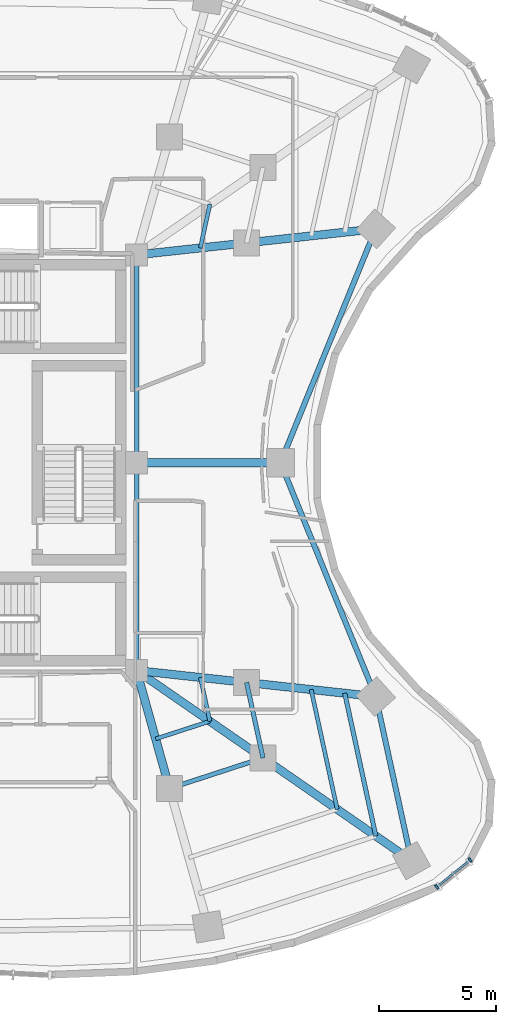
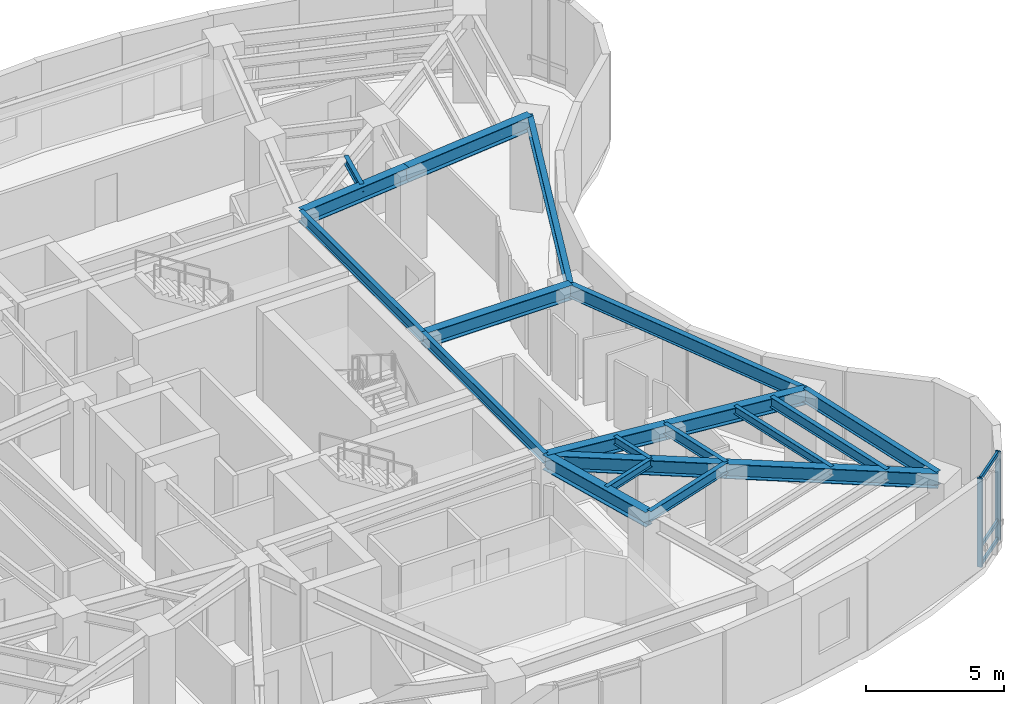
# One storey, part 4 of 15: 20 beams, 5 members, 1 element without a shape of its own.
"""IFC4 building model written with IfcOpenShell, lengths in metres."""

from ifc_helpers import new_model, si_unit, direction, frame, origin, origin_2d, place, context, subcontext, project, spatial, rectangle, i_section, extrude, material, layer, layer_set, material_profile, profile_set, type_object, element, aggregate, save


model = new_model("IFC4")

# Units and contexts
model_context = context("Model", 3, precision=1e-05, world=origin(), true_north=direction((0.0, 1.0)))
body_context = subcontext(model_context, "Body", "Model", "MODEL_VIEW")
ifc_project = project(units=[si_unit("LENGTHUNIT", "METRE"), si_unit("AREAUNIT", "SQUARE_METRE"), si_unit("VOLUMEUNIT", "CUBIC_METRE"), si_unit("PLANEANGLEUNIT", "RADIAN"), si_unit("MASSUNIT", "GRAM", prefix="KILO")], contexts=[model_context])

# Site, building, storey
site_placement = place(None, origin())
site = spatial("IfcSite", under=ifc_project, at=site_placement, CompositionType="ELEMENT")
building_placement = place(site_placement, origin())
building = spatial("IfcBuilding", under=site, at=building_placement, Name="Korentha Bioscience Tower", CompositionType="ELEMENT")
storey_placement = place(building_placement, frame((0.0, 0.0, 115.199951171875)))
storey = spatial("IfcBuildingStorey", under=building, at=storey_placement, Name="L26", CompositionType="ELEMENT", Elevation=115.199951171875)

# Beams
ifc_material_1 = material(Name="Steel S355", Category="steel")
ifc_material_profile_1 = material_profile(ifc_material_1, i_section(OverallWidth=0.18994140625, OverallDepth=0.45703125, WebThickness=0.009033203125, FlangeThickness=0.014404296875, at=origin_2d()), Name="Steel S355")
ifc_profile_set_1 = profile_set([ifc_material_profile_1], Name="Steel S355 (MB-460)")
beam_type_1 = type_object("IfcBeamType", Name="Mid-Ring Tie Girder W460x74", PredefinedType="BEAM", material=ifc_profile_set_1)
beam_1_placement = place(storey_placement, frame((38.954833984375, 13.129150390625, 3.671630859375), z_axis=(0.95087582253, 0.309572560361, 0.0), x_axis=(-0.309572560361, 0.95087582253, 0.0)))
element("IfcBeam", 1, at=beam_1_placement, inside=storey, type_object=beam_type_1, Name="L26 Mid-Ring Tie Girder 12", PredefinedType="BEAM", context=body_context, shape_type="SweptSolid", body=[
    extrude(i_section(OverallWidth=0.18994140625, OverallDepth=0.45703125, WebThickness=0.009033203125, FlangeThickness=0.014404296875, at=origin_2d()), origin(), (0.0, 0.0, 1.0), 4.186767578125),
])
beam_2_placement = place(storey_placement, frame((42.93603515625, 14.42529296875, 3.671630859375), z_axis=(-0.212928773299, 0.977067724112, 0.0), x_axis=(-0.977067724112, -0.212928773299, 0.0)))
element("IfcBeam", 2, at=beam_2_placement, inside=storey, type_object=beam_type_1, Name="L26 Mid-Ring Tie Girder 13", PredefinedType="BEAM", context=body_context, shape_type="SweptSolid", body=[
    extrude(i_section(OverallWidth=0.18994140625, OverallDepth=0.45703125, WebThickness=0.009033203125, FlangeThickness=0.014404296875, at=origin_2d()), origin(), (0.0, 0.0, 1.0), 3.28955078125),
])
for number, where, z_axis, x_axis, name in (
    (3, (37.550048828125, 18.14990234375, 3.671630859375), (0.0, 1.0, 0.0), (-1.0, 0.0, 0.0), "L26 Core Ring Tie Girder 06"),
    (4, (37.550048828125, 27.0, 3.671630859375), (0.0, 1.0, 0.0), (-1.0, 0.0, 0.0), "L26 Core Ring Tie Girder 07"),
):
    element("IfcBeam", number, at=place(storey_placement, frame(where, z_axis=z_axis, x_axis=x_axis)), inside=storey, type_object=beam_type_1, Name=name, PredefinedType="BEAM", context=body_context, shape_type="SweptSolid", body=[
        extrude(i_section(OverallWidth=0.18994140625, OverallDepth=0.45703125, WebThickness=0.009033203125, FlangeThickness=0.014404296875, at=origin_2d()), origin(), (0.0, 0.0, 1.0), 8.85009765625),
    ])

# Curtain wall, members
ifc_material_2 = material(Name="Thermally Broken Aluminium Frame", Category="aluminium")
ifc_layer = layer(ifc_material_2, 0.219970703125, Name="Thermally Broken Aluminium Frame")
ifc_layer_set = layer_set([ifc_layer], Name="Thermally Broken Aluminium Frame (CW-T2)")
curtain_wall_type = type_object("IfcCurtainWallType", Name="Solar-Screened Lab Unitised Curtain Wall CW-T2", PredefinedType="USERDEFINED", material=ifc_layer_set)
curtain_wall_placement = place(storey_placement, origin())
curtain_wall = element("IfcCurtainWall", 5, at=curtain_wall_placement, inside=storey, type_object=curtain_wall_type, Name="L26 Curtain Wall 37", ObjectType="UNITISED", PredefinedType="USERDEFINED")
ifc_material_3 = material(Name="Anodised Aluminium 6063-T6", Category="aluminium")
ifc_material_profile_2 = material_profile(ifc_material_3, rectangle(XDim=0.090087890625, YDim=0.199951171875, at=origin_2d()), Name="Anodised Aluminium 6063-T6")
ifc_profile_set_2 = profile_set([ifc_material_profile_2], Name="Anodised Aluminium 6063-T6 (CW-MUL)")
member_type_1 = type_object("IfcMemberType", Name="Mullion RECT 90x200", PredefinedType="MULLION", material=ifc_profile_set_2)
member_1_placement = place(storey_placement, frame((50.337158203125, 8.931884765625, 0.0), z_axis=(0.0, 0.0, 1.0), x_axis=(0.777315301098, 0.629111216463, 0.0)))
member_1 = element("IfcMember", 6, at=member_1_placement, type_object=member_type_1, Name="CW-L26-37 Mullion 1", PredefinedType="MULLION", context=body_context, shape_type="SweptSolid", body=[
    extrude(rectangle(XDim=0.090087890625, YDim=0.199951171875, at=origin_2d()), origin(), (0.0, 0.0, 1.0), 3.900146484375),
])
member_2_placement = place(storey_placement, frame((51.7578125, 10.08154296875, 0.0), z_axis=(0.0, 0.0, 1.0), x_axis=(0.777315301098, 0.629111216463, 0.0)))
member_2 = element("IfcMember", 7, at=member_2_placement, type_object=member_type_1, Name="CW-L26-37 Mullion 2", PredefinedType="MULLION", context=body_context, shape_type="SweptSolid", body=[
    extrude(rectangle(XDim=0.090087890625, YDim=0.199951171875, at=origin_2d()), origin(), (0.0, 0.0, 1.0), 3.900146484375),
])

# Beams
ifc_material_profile_3 = material_profile(ifc_material_1, i_section(OverallWidth=0.22802734375, OverallDepth=0.60791015625, WebThickness=0.01123046875, FlangeThickness=0.017333984375, at=origin_2d()), Name="Steel S355")
ifc_profile_set_3 = profile_set([ifc_material_profile_3], Name="Steel S355 (SB-610)")
beam_type_2 = type_object("IfcBeamType", Name="Perimeter Ring Spandrel Girder W610x113", PredefinedType="SPANDREL", material=ifc_profile_set_3)
beam_3_placement = place(storey_placement, frame((49.2587890625, 10.052978515625, 3.595947265625), z_axis=(-0.212927102256, 0.977068088275, 0.0), x_axis=(-0.977068088275, -0.212927102256, 0.0)))
element("IfcBeam", 8, at=beam_3_placement, inside=storey, type_object=beam_type_2, Name="L26 Perimeter Spandrel Girder 13", PredefinedType="SPANDREL", context=body_context, shape_type="SweptSolid", body=[
    extrude(i_section(OverallWidth=0.22802734375, OverallDepth=0.60791015625, WebThickness=0.01123046875, FlangeThickness=0.017333984375, at=origin_2d()), origin(), (0.0, 0.0, 1.0), 7.1513671875),
])
for number, where, z_axis, x_axis, name in (
    (9, (47.736083984375, 17.040283203125, 3.595947265625), (-0.37709856037, 0.926173134876, 0.0), (-0.926173134876, -0.37709856037, 0.0), "L26 Perimeter Spandrel Girder 14"),
    (10, (43.680908203125, 27.0, 3.595947265625), (0.37709856037, 0.926173134876, 0.0), (-0.926173134876, 0.37709856037, 0.0), "L26 Perimeter Spandrel Girder 15"),
):
    element("IfcBeam", number, at=place(storey_placement, frame(where, z_axis=z_axis, x_axis=x_axis)), inside=storey, type_object=beam_type_2, Name=name, PredefinedType="SPANDREL", context=body_context, shape_type="SweptSolid", body=[
        extrude(i_section(OverallWidth=0.22802734375, OverallDepth=0.60791015625, WebThickness=0.01123046875, FlangeThickness=0.017333984375, at=origin_2d()), origin(), (0.0, 0.0, 1.0), 10.753662109375),
    ])
ifc_material_profile_4 = material_profile(ifc_material_1, i_section(OverallWidth=0.18994140625, OverallDepth=0.45703125, WebThickness=0.009033203125, FlangeThickness=0.014404296875, at=origin_2d()), Name="Steel S355")
ifc_profile_set_4 = profile_set([ifc_material_profile_4], Name="Steel S355 (RB-460)")
beam_type_3 = type_object("IfcBeamType", Name="Radial Laboratory Beam W460x74", PredefinedType="BEAM", material=ifc_profile_set_4)
beam_4_placement = place(storey_placement, frame((47.7412109375, 11.1025390625, 3.671630859375), z_axis=(-0.21290837934, 0.977072168269, 0.0), x_axis=(-0.977072168269, -0.21290837934, 0.0)))
element("IfcBeam", 11, at=beam_4_placement, inside=storey, type_object=beam_type_3, Name="L26 Secondary Floor Beam JSTO-13", PredefinedType="BEAM", context=body_context, shape_type="SweptSolid", body=[
    extrude(i_section(OverallWidth=0.18994140625, OverallDepth=0.45703125, WebThickness=0.009033203125, FlangeThickness=0.014404296875, at=origin_2d()), origin(), (0.0, 0.0, 1.0), 6.224365234375),
])
ifc_material_profile_5 = material_profile(ifc_material_1, i_section(OverallWidth=0.35009765625, OverallDepth=0.64990234375, WebThickness=0.01611328125, FlangeThickness=0.02490234375, at=origin_2d()), Name="Steel S355")
ifc_profile_set_5 = profile_set([ifc_material_profile_5], Name="Steel S355 (RB-650)")
beam_type_4 = type_object("IfcBeamType", Name="Radial Laboratory Girder CVS 650x208", PredefinedType="BEAM", material=ifc_profile_set_5)
beam_5_placement = place(storey_placement, frame((37.550048828125, 18.14990234375, 3.574951171875), z_axis=(0.269447542125, -0.96301506844, 0.0), x_axis=(0.96301506844, 0.269447542125, 0.0)))
element("IfcBeam", 12, at=beam_5_placement, inside=storey, type_object=beam_type_4, Name="L26 Inner Radial Girder 12", PredefinedType="BEAM", context=body_context, shape_type="SweptSolid", body=[
    extrude(i_section(OverallWidth=0.35009765625, OverallDepth=0.64990234375, WebThickness=0.01611328125, FlangeThickness=0.02490234375, at=origin_2d()), origin(), (0.0, 0.0, 1.0), 5.213623046875),
])
beam_6_placement = place(storey_placement, frame((37.550048828125, 18.14990234375, 3.574951171875), z_axis=(0.822488699387, -0.568781451333, 0.0), x_axis=(0.568781451333, 0.822488699387, 0.0)))
element("IfcBeam", 13, at=beam_6_placement, inside=storey, type_object=beam_type_4, Name="L26 Inner Radial Girder 13", PredefinedType="BEAM", context=body_context, shape_type="SweptSolid", body=[
    extrude(i_section(OverallWidth=0.35009765625, OverallDepth=0.64990234375, WebThickness=0.01611328125, FlangeThickness=0.02490234375, at=origin_2d()), origin(), (0.0, 0.0, 1.0), 6.54833984375),
])
beam_7_placement = place(storey_placement, frame((42.93603515625, 14.42529296875, 3.574951171875), z_axis=(0.822495056204, -0.568772258922, 0.0), x_axis=(0.568772258922, 0.822495056204, 0.0)))
element("IfcBeam", 14, at=beam_7_placement, inside=storey, type_object=beam_type_4, Name="L26 Outer Radial Girder 13", PredefinedType="BEAM", context=body_context, shape_type="SweptSolid", body=[
    extrude(i_section(OverallWidth=0.35009765625, OverallDepth=0.64990234375, WebThickness=0.01611328125, FlangeThickness=0.02490234375, at=origin_2d()), origin(), (0.0, 0.0, 1.0), 7.687255859375),
])
beam_8_placement = place(storey_placement, frame((37.550048828125, 18.14990234375, 3.574951171875), z_axis=(0.994117092476, -0.108310694058, 0.0), x_axis=(0.108310694058, 0.994117092476, 0.0)))
element("IfcBeam", 15, at=beam_8_placement, inside=storey, type_object=beam_type_4, Name="L26 Inner Radial Girder 14", PredefinedType="BEAM", context=body_context, shape_type="SweptSolid", body=[
    extrude(i_section(OverallWidth=0.35009765625, OverallDepth=0.64990234375, WebThickness=0.01611328125, FlangeThickness=0.02490234375, at=origin_2d()), origin(), (0.0, 0.0, 1.0), 4.71337890625),
])
beam_9_placement = place(storey_placement, frame((42.235595703125, 17.639404296875, 3.574951171875), z_axis=(0.994120325557, -0.108281015487, 0.0), x_axis=(0.108281015487, 0.994120325557, 0.0)))
element("IfcBeam", 16, at=beam_9_placement, inside=storey, type_object=beam_type_4, Name="L26 Outer Radial Girder 14", PredefinedType="BEAM", context=body_context, shape_type="SweptSolid", body=[
    extrude(i_section(OverallWidth=0.35009765625, OverallDepth=0.64990234375, WebThickness=0.01611328125, FlangeThickness=0.02490234375, at=origin_2d()), origin(), (0.0, 0.0, 1.0), 5.532958984375),
])
beam_10_placement = place(storey_placement, frame((37.550048828125, 27.0, 3.574951171875), z_axis=(1.0, 0.0, 0.0), x_axis=(0.0, 1.0, 0.0)))
element("IfcBeam", 17, at=beam_10_placement, inside=storey, type_object=beam_type_4, Name="L26 Radial Girder 15", PredefinedType="BEAM", context=body_context, shape_type="SweptSolid", body=[
    extrude(i_section(OverallWidth=0.35009765625, OverallDepth=0.64990234375, WebThickness=0.01611328125, FlangeThickness=0.02490234375, at=origin_2d()), origin(), (0.0, 0.0, 1.0), 6.130859375),
])
beam_11_placement = place(storey_placement, frame((37.550048828125, 35.85009765625, 3.574951171875), z_axis=(0.994117092476, 0.108310694058, 0.0), x_axis=(-0.108310694058, 0.994117092476, 0.0)))
element("IfcBeam", 18, at=beam_11_placement, inside=storey, type_object=beam_type_4, Name="L26 Inner Radial Girder 16", PredefinedType="BEAM", context=body_context, shape_type="SweptSolid", body=[
    extrude(i_section(OverallWidth=0.35009765625, OverallDepth=0.64990234375, WebThickness=0.01611328125, FlangeThickness=0.02490234375, at=origin_2d()), origin(), (0.0, 0.0, 1.0), 4.71337890625),
])
beam_12_placement = place(storey_placement, frame((42.235595703125, 36.360595703125, 3.574951171875), z_axis=(0.994120325557, 0.108281015487, 0.0), x_axis=(-0.108281015487, 0.994120325557, 0.0)))
element("IfcBeam", 19, at=beam_12_placement, inside=storey, type_object=beam_type_4, Name="L26 Outer Radial Girder 16", PredefinedType="BEAM", context=body_context, shape_type="SweptSolid", body=[
    extrude(i_section(OverallWidth=0.35009765625, OverallDepth=0.64990234375, WebThickness=0.01611328125, FlangeThickness=0.02490234375, at=origin_2d()), origin(), (0.0, 0.0, 1.0), 5.532958984375),
])
ifc_material_profile_6 = material_profile(ifc_material_1, i_section(OverallWidth=0.1708984375, OverallDepth=0.35498046875, WebThickness=0.007080078125, FlangeThickness=0.01171875, at=origin_2d()), Name="Steel S355")
ifc_profile_set_6 = profile_set([ifc_material_profile_6], Name="Steel S355 (JB-360)")
beam_type_5 = type_object("IfcBeamType", Name="Secondary Laboratory Joist W360x51", PredefinedType="JOIST", material=ifc_profile_set_6)
beam_13_placement = place(storey_placement, frame((38.36474609375, 15.23779296875, 3.72265625), z_axis=(0.950852158547, 0.30964523666, 0.0), x_axis=(-0.30964523666, 0.950852158547, 0.0)))
element("IfcBeam", 20, at=beam_13_placement, inside=storey, type_object=beam_type_5, Name="L26 Inner Bay Joist 12", PredefinedType="JOIST", context=body_context, shape_type="SweptSolid", body=[
    extrude(i_section(OverallWidth=0.1708984375, OverallDepth=0.35498046875, WebThickness=0.007080078125, FlangeThickness=0.01171875, at=origin_2d()), origin(), (0.0, 0.0, 1.0), 2.428466796875),
])
beam_14_placement = place(storey_placement, frame((46.097412109375, 12.2392578125, 3.72265625), z_axis=(-0.212932493609, 0.977066913351, 0.0), x_axis=(-0.977066913351, -0.212932493609, 0.0)))
element("IfcBeam", 21, at=beam_14_placement, inside=storey, type_object=beam_type_5, Name="L26 Secondary Floor Beam JST-13", PredefinedType="JOIST", context=body_context, shape_type="SweptSolid", body=[
    extrude(i_section(OverallWidth=0.1708984375, OverallDepth=0.35498046875, WebThickness=0.007080078125, FlangeThickness=0.01171875, at=origin_2d()), origin(), (0.0, 0.0, 1.0), 5.22021484375),
])
for number, where, z_axis, x_axis, name in (
    (22, (40.673828125, 15.98974609375, 3.72265625), (-0.212918344001, 0.977069996872, 0.0), (-0.977069996872, -0.212918344001, 0.0), "L26 Inner Bay Joist 13"),
    (23, (40.267578125, 36.14599609375, 3.72265625), (0.212918344001, 0.977069996872, 0.0), (-0.977069996872, 0.212918344001, 0.0), "L26 Inner Bay Joist 16"),
):
    element("IfcBeam", number, at=place(storey_placement, frame(where, z_axis=z_axis, x_axis=x_axis)), inside=storey, type_object=beam_type_5, Name=name, PredefinedType="JOIST", context=body_context, shape_type="SweptSolid", body=[
        extrude(i_section(OverallWidth=0.1708984375, OverallDepth=0.35498046875, WebThickness=0.007080078125, FlangeThickness=0.01171875, at=origin_2d()), origin(), (0.0, 0.0, 1.0), 1.907958984375),
    ])

# Member
ifc_material_profile_7 = material_profile(ifc_material_3, rectangle(XDim=0.090087890625, YDim=0.159912109375, at=origin_2d()), Name="Anodised Aluminium 6063-T6")
ifc_profile_set_7 = profile_set([ifc_material_profile_7], Name="Anodised Aluminium 6063-T6 (CW-TRN)")
member_type_2 = type_object("IfcMemberType", Name="Transom RECT 90x160", PredefinedType="USERDEFINED", material=ifc_profile_set_7)
member_3_placement = place(storey_placement, frame((50.3720703125, 8.960205078125, 0.045166015625), z_axis=(0.777333214738, 0.629089082137, 0.0), x_axis=(-0.629089082137, 0.777333214738, 0.0)))
member_3 = element("IfcMember", 24, at=member_3_placement, type_object=member_type_2, Name="CW-L26-37 Bay 1 Transom 1", ObjectType="TRANSOM", PredefinedType="USERDEFINED", context=body_context, shape_type="SweptSolid", body=[
    extrude(rectangle(XDim=0.090087890625, YDim=0.159912109375, at=origin_2d()), origin(), (0.0, 0.0, 1.0), 1.737548828125),
])

member_4_placement = place(storey_placement, frame((50.3720703125, 8.960205078125, 0.85009765625), z_axis=(0.777333214738, 0.629089082137, 0.0), x_axis=(-0.629089082137, 0.777333214738, 0.0)))
member_4 = element("IfcMember", 25, at=member_4_placement, type_object=member_type_2, Name="CW-L26-37 Bay 1 Transom 2", ObjectType="TRANSOM", PredefinedType="USERDEFINED", context=body_context, shape_type="SweptSolid", body=[
    extrude(rectangle(XDim=0.090087890625, YDim=0.159912109375, at=origin_2d()), origin(), (0.0, 0.0, 1.0), 1.737548828125),
])

member_5_placement = place(storey_placement, frame((50.3720703125, 8.960205078125, 3.85498046875), z_axis=(0.777333214738, 0.629089082137, 0.0), x_axis=(-0.629089082137, 0.777333214738, 0.0)))
member_5 = element("IfcMember", 26, at=member_5_placement, type_object=member_type_2, Name="CW-L26-37 Bay 1 Transom 3", ObjectType="TRANSOM", PredefinedType="USERDEFINED", context=body_context, shape_type="SweptSolid", body=[
    extrude(rectangle(XDim=0.090087890625, YDim=0.159912109375, at=origin_2d()), origin(), (0.0, 0.0, 1.0), 1.737548828125),
])

aggregate(curtain_wall, [member_1, member_2, member_3, member_4, member_5])

save(model, "model.ifc")
